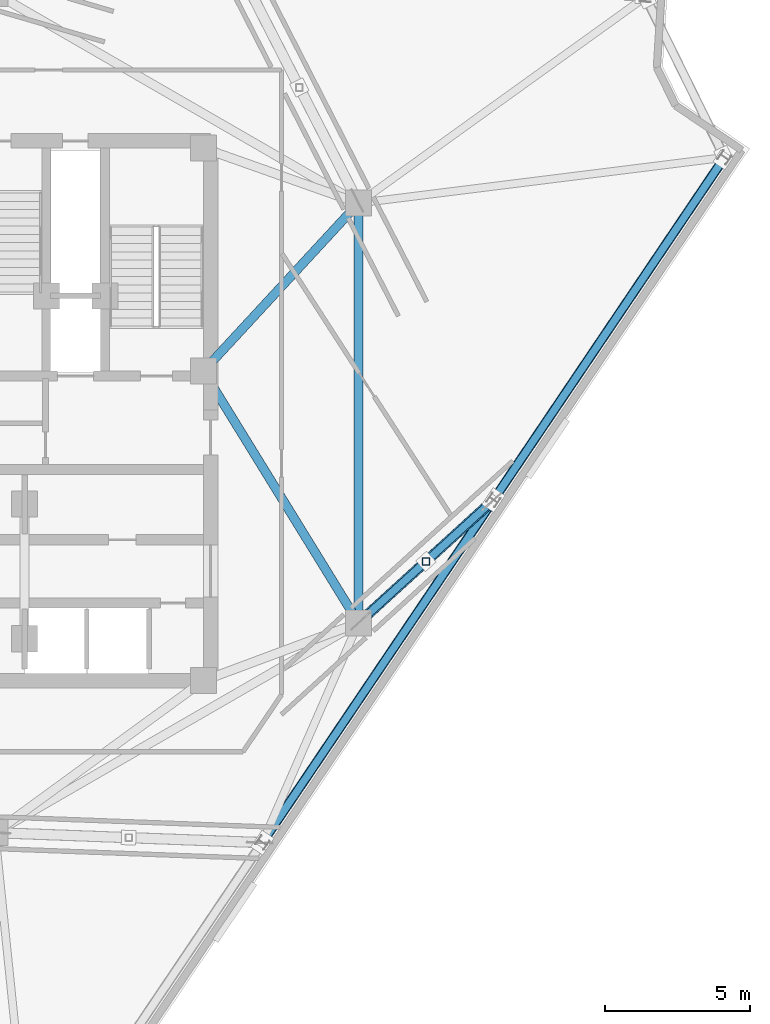
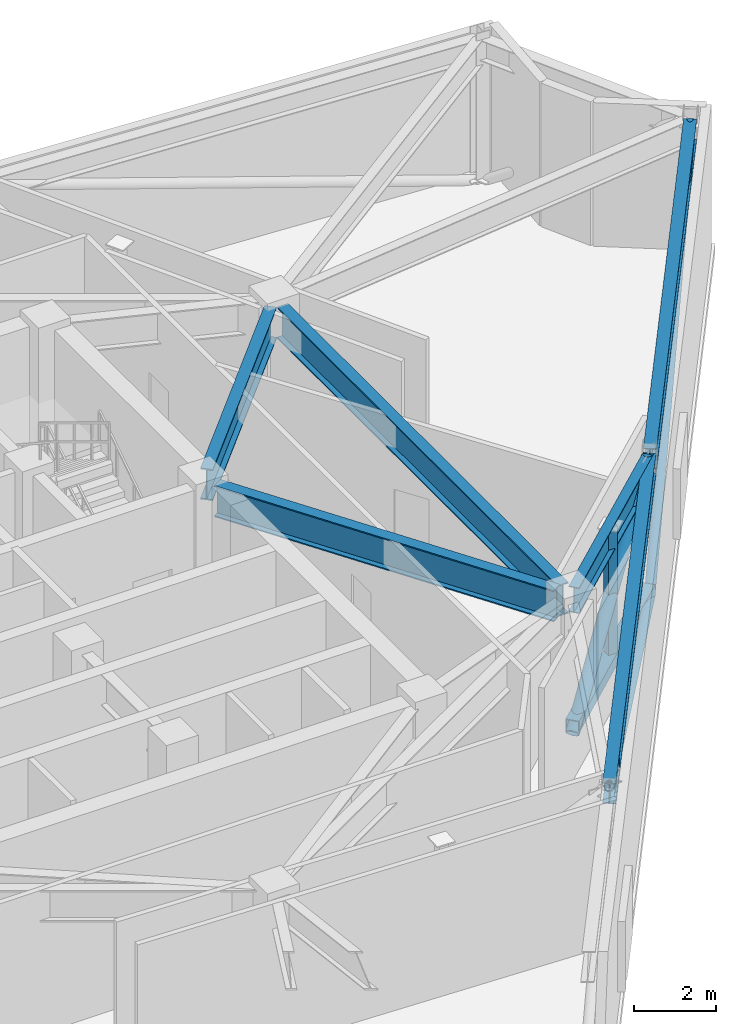
# One storey, part 5 of 11: 6 beams, 5 members.
"""IFC4 building model written with IfcOpenShell, lengths in metres."""

from ifc_helpers import new_model, si_unit, direction, frame, origin, origin_2d, place, context, subcontext, project, spatial, hollow_rectangle, hollow_circle, i_section, extrude, material, material_profile, profile_set, type_object, element, save


model = new_model("IFC4")

# Units and contexts
model_context = context("Model", 3, precision=1e-05, world=origin(), true_north=direction((0.0, 1.0)))
body_context = subcontext(model_context, "Body", "Model", "MODEL_VIEW")
ifc_project = project(units=[si_unit("LENGTHUNIT", "METRE"), si_unit("AREAUNIT", "SQUARE_METRE"), si_unit("VOLUMEUNIT", "CUBIC_METRE"), si_unit("PLANEANGLEUNIT", "RADIAN"), si_unit("MASSUNIT", "GRAM", prefix="KILO")], contexts=[model_context])

# Site, building, storey
site_placement = place(None, origin())
site = spatial("IfcSite", under=ifc_project, at=site_placement, CompositionType="ELEMENT")
building_placement = place(site_placement, origin())
building = spatial("IfcBuilding", under=site, at=building_placement, Name="Apsidion Concourse Tower", CompositionType="ELEMENT")
storey_placement = place(building_placement, frame((0.0, 0.0, 328.0)))
storey = spatial("IfcBuildingStorey", under=building, at=storey_placement, Name="L77", CompositionType="ELEMENT", Elevation=328.0)

# Beams
ifc_material_1 = material(Name="Structural steel ASTM A992 Grade 50", Category="steel")
ifc_material_profile_1 = material_profile(ifc_material_1, i_section(OverallWidth=0.31005859375, OverallDepth=0.931884765625, WebThickness=0.02099609375, FlangeThickness=0.034423828125, at=origin_2d()), Name="W36X210")
ifc_profile_set_1 = profile_set([ifc_material_profile_1], Name="Structural steel ASTM A992 Grade 50")
beam_type_1 = type_object("IfcBeamType", Name="BM-G-W36", PredefinedType="USERDEFINED", material=ifc_profile_set_1)
beam_1_placement = place(storey_placement, frame((12.35009765625, -6.909423828125, 3.81396484375), z_axis=(-0.524524009763, 0.851395656074, 0.0), x_axis=(-0.851395656074, -0.524524009763, 0.0)))
element("IfcBeam", 1, at=beam_1_placement, inside=storey, type_object=beam_type_1, Name="L77 Core Coupling Girder IC2-SC3", ObjectType="GIRDER", PredefinedType="USERDEFINED", context=body_context, shape_type="SweptSolid", body=[
    extrude(i_section(OverallWidth=0.31005859375, OverallDepth=0.931884765625, WebThickness=0.02099609375, FlangeThickness=0.034423828125, at=origin_2d()), origin(), (0.0, 0.0, 1.0), 9.41845703125),
])
beam_2_placement = place(storey_placement, frame((12.28857421875, 6.956298828125, 3.81396484375), z_axis=(-0.678712876106, -0.73440372535, 0.0), x_axis=(0.73440372535, -0.678712876106, 0.0)))
element("IfcBeam", 2, at=beam_2_placement, inside=storey, type_object=beam_type_1, Name="L77 Core Coupling Girder IC3-SC3", ObjectType="GIRDER", PredefinedType="USERDEFINED", context=body_context, shape_type="SweptSolid", body=[
    extrude(i_section(OverallWidth=0.31005859375, OverallDepth=0.931884765625, WebThickness=0.02099609375, FlangeThickness=0.034423828125, at=origin_2d()), origin(), (0.0, 0.0, 1.0), 7.097412109375),
])
beam_3_placement = place(storey_placement, frame((12.56005859375, 6.85009765625, 3.81396484375), z_axis=(0.0, -1.0, 0.0), x_axis=(1.0, 0.0, 0.0)))
element("IfcBeam", 3, at=beam_3_placement, inside=storey, type_object=beam_type_1, Name="L77 Core Coupling Girder IC3-IC2", ObjectType="GIRDER", PredefinedType="USERDEFINED", context=body_context, shape_type="SweptSolid", body=[
    extrude(i_section(OverallWidth=0.31005859375, OverallDepth=0.931884765625, WebThickness=0.02099609375, FlangeThickness=0.034423828125, at=origin_2d()), origin(), (0.0, 0.0, 1.0), 13.7001953125),
])
ifc_material_profile_2 = material_profile(ifc_material_1, i_section(OverallWidth=0.324951171875, OverallDepth=0.616943359375, WebThickness=0.013916015625, FlangeThickness=0.021484375, at=origin_2d()), Name="W24X117")
ifc_profile_set_2 = profile_set([ifc_material_profile_2], Name="Structural steel ASTM A992 Grade 50")
beam_type_2 = type_object("IfcBeamType", Name="BM-SP-W24", PredefinedType="SPANDREL", material=ifc_profile_set_2)
beam_4_placement = place(storey_placement, frame((9.294921875, -14.760986328125, 3.971435546875), z_axis=(0.559189897853, 0.829039599862, 0.0), x_axis=(-0.829039599862, 0.559189897853, 0.0)))
element("IfcBeam", 4, at=beam_4_placement, inside=storey, type_object=beam_type_2, Name="L77 Perimeter Spandrel Girder SP-06", PredefinedType="SPANDREL", context=body_context, shape_type="SweptSolid", body=[
    extrude(i_section(OverallWidth=0.324951171875, OverallDepth=0.616943359375, WebThickness=0.013916015625, FlangeThickness=0.021484375, at=origin_2d()), origin(), (0.0, 0.0, 1.0), 14.079345703125),
])
beam_5_placement = place(storey_placement, frame((17.27978515625, -2.9228515625, 3.971435546875), z_axis=(0.559201815781, 0.829031561056, 0.0), x_axis=(-0.829031561056, 0.559201815781, 0.0)))
element("IfcBeam", 5, at=beam_5_placement, inside=storey, type_object=beam_type_2, Name="L77 Perimeter Spandrel Girder SP-07", PredefinedType="SPANDREL", context=body_context, shape_type="SweptSolid", body=[
    extrude(i_section(OverallWidth=0.324951171875, OverallDepth=0.616943359375, WebThickness=0.013916015625, FlangeThickness=0.021484375, at=origin_2d()), origin(), (0.0, 0.0, 1.0), 14.07958984375),
])
ifc_material_profile_3 = material_profile(ifc_material_1, i_section(OverallWidth=0.26806640625, OverallDepth=0.77001953125, WebThickness=0.015625, FlangeThickness=0.025390625, at=origin_2d()), Name="W30X132")
ifc_profile_set_3 = profile_set([ifc_material_profile_3], Name="Structural steel ASTM A992 Grade 50")
beam_type_3 = type_object("IfcBeamType", Name="BM-SP-W30", PredefinedType="SPANDREL", material=ifc_profile_set_3)
beam_6_placement = place(storey_placement, frame((12.72265625, -7.101806640625, 3.89501953125), z_axis=(0.739604100637, 0.673042178709, 0.0), x_axis=(-0.673042178709, 0.739604100637, 0.0)))
element("IfcBeam", 6, at=beam_6_placement, inside=storey, type_object=beam_type_3, Name="L77 Radial Floor Girder RAD-07", PredefinedType="SPANDREL", context=body_context, shape_type="SweptSolid", body=[
    extrude(i_section(OverallWidth=0.26806640625, OverallDepth=0.77001953125, WebThickness=0.015625, FlangeThickness=0.025390625, at=origin_2d()), origin(), (0.0, 0.0, 1.0), 5.986083984375),
])

# Members
ifc_material_2 = material(Name="Structural steel ASTM A500 Grade C", Category="steel")
ifc_material_profile_4 = material_profile(ifc_material_2, hollow_circle(Radius=0.136474609375, WallThickness=0.01611328125, at=origin_2d()), Name="CHS273X16")
ifc_profile_set_4 = profile_set([ifc_material_profile_4], Name="Structural steel ASTM A500 Grade C")
member_type_1 = type_object("IfcMemberType", Name="MB-BR-CHS273", PredefinedType="BRACE", material=ifc_profile_set_4)
for number, where, z_axis, x_axis, name in (
    (7, (17.16796875, -3.088623046875, 0.0), (-0.53606444027, -0.794754430951, 0.284605534665), (0.829039599862, -0.559189897853, 0.0), "L77 Perimeter Belt-Truss Diagonal BT-06"),
    (8, (17.27978515625, -2.9228515625, 0.0), (0.536076286373, 0.794747348801, 0.284602998511), (-0.829031561056, 0.559201815781, 0.0), "L77 Perimeter Belt-Truss Diagonal BT-07"),
):
    element("IfcMember", number, at=place(storey_placement, frame(where, z_axis=z_axis, x_axis=x_axis)), inside=storey, type_object=member_type_1, Name=name, PredefinedType="BRACE", context=body_context, shape_type="SweptSolid", body=[
        extrude(hollow_circle(Radius=0.136474609375, WallThickness=0.01611328125, at=origin_2d()), origin(), (0.0, 0.0, 1.0), 14.686767578125),
    ])
ifc_material_profile_5 = material_profile(ifc_material_2, hollow_circle(Radius=0.177978515625, WallThickness=0.02001953125, at=origin_2d()), Name="CHS356X20")
ifc_profile_set_5 = profile_set([ifc_material_profile_5], Name="Structural steel ASTM A500 Grade C")
member_type_2 = type_object("IfcMemberType", Name="MB-BR-CHS356", PredefinedType="BRACE", material=ifc_profile_set_5)
member_1_placement = place(storey_placement, frame((12.634033203125, -7.1826171875, 0.0), z_axis=(0.610286734515, 0.555385013899, 0.564887234775), x_axis=(-0.673056806559, 0.739590788981, 0.0)))
element("IfcMember", 9, at=member_1_placement, inside=storey, type_object=member_type_2, Name="L77 Radial Outrigger Truss Diagonal OT-02", PredefinedType="BRACE", context=body_context, shape_type="SweptSolid", body=[
    extrude(hollow_circle(Radius=0.177978515625, WallThickness=0.02001953125, at=origin_2d()), origin(), (0.0, 0.0, 1.0), 7.399658203125),
])
ifc_material_profile_6 = material_profile(ifc_material_2, hollow_rectangle(XDim=0.35009765625, YDim=0.35009765625, WallThickness=0.02197265625, at=origin_2d()), Name="HSS350X350X22")
ifc_profile_set_6 = profile_set([ifc_material_profile_6], Name="Structural steel ASTM A500 Grade C")
member_type_3 = type_object("IfcMemberType", Name="MB-CH-HSS350", PredefinedType="CHORD", material=ifc_profile_set_6)
member_2_placement = place(storey_placement, frame((12.634033203125, -7.1826171875, 0.219970703125), z_axis=(0.739590788981, 0.673056806559, 0.0), x_axis=(-0.673056806559, 0.739590788981, 0.0)))
element("IfcMember", 10, at=member_2_placement, inside=storey, type_object=member_type_3, Name="L77 Radial Outrigger Bottom Chord OTC-02", PredefinedType="CHORD", context=body_context, shape_type="SweptSolid", body=[
    extrude(hollow_rectangle(XDim=0.35009765625, YDim=0.35009765625, WallThickness=0.02197265625, at=origin_2d()), origin(), (0.0, 0.0, 1.0), 6.10595703125),
])
ifc_material_profile_7 = material_profile(ifc_material_2, hollow_rectangle(XDim=0.25, YDim=0.25, WallThickness=0.01611328125, at=origin_2d()), Name="HSS250X250X16")
ifc_profile_set_7 = profile_set([ifc_material_profile_7], Name="Structural steel ASTM A500 Grade C")
member_type_4 = type_object("IfcMemberType", Name="MB-ST-HSS250", PredefinedType="STRUT", material=ifc_profile_set_7)
member_3_placement = place(storey_placement, frame((14.891845703125, -5.127685546875, 0.219970703125), z_axis=(0.0, 0.0, 1.0), x_axis=(1.0, 0.0, 0.0)))
element("IfcMember", 11, at=member_3_placement, inside=storey, type_object=member_type_4, Name="L77 Outrigger Truss Compression Strut OTV-02", PredefinedType="STRUT", context=body_context, shape_type="SweptSolid", body=[
    extrude(hollow_rectangle(XDim=0.25, YDim=0.25, WallThickness=0.01611328125, at=origin_2d()), origin(), (0.0, 0.0, 1.0), 3.9599609375),
])

save(model, "model.ifc")
